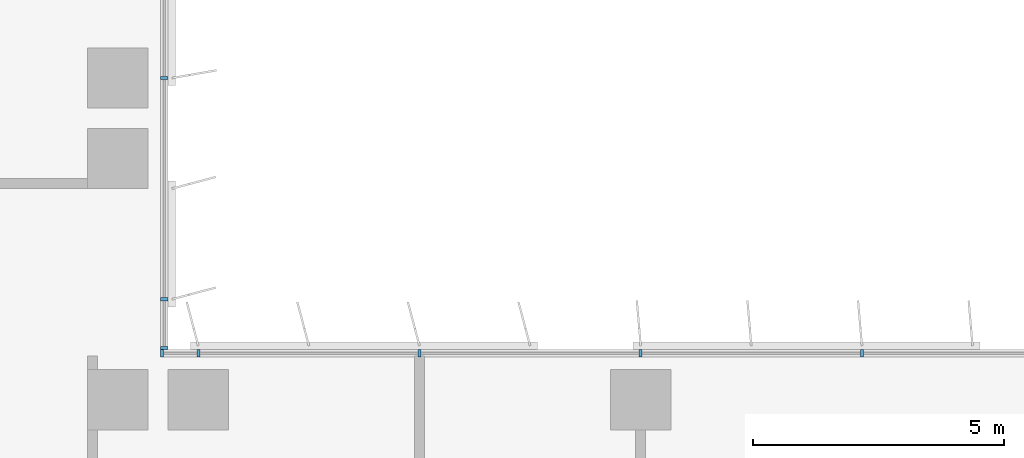
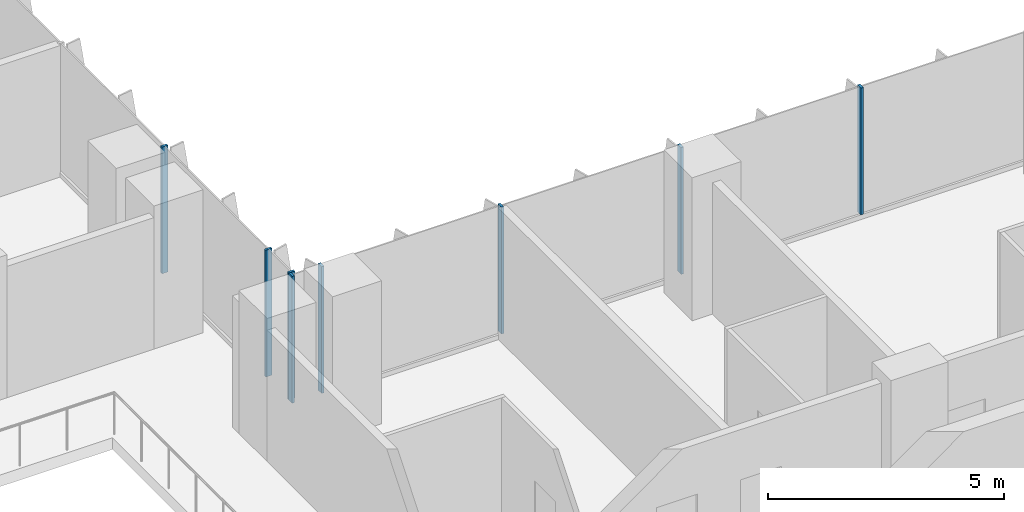
# One storey, part 2 of 22: 8 members, 2 elements without a shape of their own.
"""IFC4 building model written with IfcOpenShell, lengths in metres."""

from ifc_helpers import new_model, si_unit, direction, frame, origin, origin_2d, place, context, subcontext, project, spatial, rectangle, extrude, source, transform, mapped, material, material_profile, profile_set, type_object, element, aggregate, save


model = new_model("IFC4")

# Units and contexts
model_context = context("Model", 3, precision=1e-05, world=origin(), true_north=direction((0.0, 1.0)))
body_context = subcontext(model_context, "Body", "Model", "MODEL_VIEW")
ifc_project = project(units=[si_unit("LENGTHUNIT", "METRE"), si_unit("AREAUNIT", "SQUARE_METRE"), si_unit("VOLUMEUNIT", "CUBIC_METRE"), si_unit("PLANEANGLEUNIT", "RADIAN"), si_unit("MASSUNIT", "GRAM", prefix="KILO")], contexts=[model_context])

# Site, building, storey
site_placement = place(None, origin())
site = spatial("IfcSite", under=ifc_project, at=site_placement, CompositionType="ELEMENT")
building_placement = place(site_placement, origin())
building = spatial("IfcBuilding", under=site, at=building_placement, Name="Kemantara Hotel Tower", CompositionType="ELEMENT")
storey_placement = place(building_placement, frame((0.0, 0.0, 90.800048828125)))
storey = spatial("IfcBuildingStorey", under=building, at=storey_placement, Name="L21", CompositionType="ELEMENT", Elevation=90.800048828125)

# Curtain wall, members
ifc_material_1 = material(Name="Low-E tinted double insulated glass 36 mm", Category="glass")
curtain_wall_type = type_object("IfcCurtainWallType", Name="TOWER CURTAIN WALL, FRONT FACES", PredefinedType="USERDEFINED", material=ifc_material_1)
curtain_wall_1_placement = place(storey_placement, origin())
curtain_wall_1 = element("IfcCurtainWall", 1, at=curtain_wall_1_placement, inside=storey, type_object=curtain_wall_type, Name="CW4 L21 T2-R13-1", ObjectType="TOWER CURTAIN WALL, FRONT FACES", PredefinedType="USERDEFINED")
ifc_material_2 = material(Name="Aluminium 6063-T6 bronze anodised", Category="aluminium")
ifc_material_profile = material_profile(ifc_material_2, rectangle(XDim=0.14990234375, YDim=0.06005859375, at=origin_2d()), Name="TOWER CURTAIN WALL, FRONT FACES MULLION")
ifc_profile_set = profile_set([ifc_material_profile], Name="Aluminium 6063-T6 bronze anodised")
member_type = type_object("IfcMemberType", Name="TOWER CURTAIN WALL, FRONT FACES MULLION", PredefinedType="MULLION", material=ifc_profile_set)
shared_shape = source(origin(), body_context, "Body", "SweptSolid", [
    extrude(rectangle(XDim=0.14990234375, YDim=0.06005859375, at=origin_2d()), origin(), (0.0, 0.0, 1.0), 3.280029296875),
])
member_1_placement = place(storey_placement, frame((40.60009765625, 21.925048828125, 0.119873046875), z_axis=(0.0, 0.0, 1.0), x_axis=(0.0, -1.0, 0.0)))
member_1 = element("IfcMember", 2, at=member_1_placement, type_object=member_type, Name="CW4 mullion T2-R13-1.6", PredefinedType="MULLION", context=body_context, shape_type="MappedRepresentation", body=[
    mapped(shared_shape, transform((0.0, 0.0, 0.0))),
])
member_2_placement = place(storey_placement, frame((36.199951171875, 21.925048828125, 0.119873046875), z_axis=(0.0, 0.0, 1.0), x_axis=(0.0, -1.0, 0.0)))
member_2 = element("IfcMember", 3, at=member_2_placement, type_object=member_type, Name="CW4 mullion T2-R13-1.7", PredefinedType="MULLION", context=body_context, shape_type="MappedRepresentation", body=[
    mapped(shared_shape, transform((0.0, 0.0, 0.0))),
])
member_3_placement = place(storey_placement, frame((31.800048828125, 21.925048828125, 0.119873046875), z_axis=(0.0, 0.0, 1.0), x_axis=(0.0, -1.0, 0.0)))
member_3 = element("IfcMember", 4, at=member_3_placement, type_object=member_type, Name="CW4 mullion T2-R13-1.8", PredefinedType="MULLION", context=body_context, shape_type="MappedRepresentation", body=[
    mapped(shared_shape, transform((0.0, 0.0, 0.0))),
])
member_4_placement = place(storey_placement, frame((27.39990234375, 21.925048828125, 0.119873046875), z_axis=(0.0, 0.0, 1.0), x_axis=(0.0, -1.0, 0.0)))
member_4 = element("IfcMember", 5, at=member_4_placement, type_object=member_type, Name="CW4 mullion T2-R13-1.9", PredefinedType="MULLION", context=body_context, shape_type="MappedRepresentation", body=[
    mapped(shared_shape, transform((0.0, 0.0, 0.0))),
])
member_5_placement = place(storey_placement, frame((26.679931640625, 21.925048828125, 0.119873046875), z_axis=(0.0, 0.0, 1.0), x_axis=(0.0, -1.0, 0.0)))
member_5 = element("IfcMember", 6, at=member_5_placement, type_object=member_type, Name="CW4 mullion T2-R13-1.10", PredefinedType="MULLION", context=body_context, shape_type="MappedRepresentation", body=[
    mapped(shared_shape, transform((0.0, 0.0, 0.0))),
])
aggregate(curtain_wall_1, [member_1, member_2, member_3, member_4, member_5])

curtain_wall_2_placement = place(storey_placement, origin())
curtain_wall_2 = element("IfcCurtainWall", 7, at=curtain_wall_2_placement, inside=storey, type_object=curtain_wall_type, Name="CW4 L21 T2-R14-1", ObjectType="TOWER CURTAIN WALL, FRONT FACES", PredefinedType="USERDEFINED")
member_6_placement = place(storey_placement, frame((26.72509765625, 22.030029296875, 0.119873046875), z_axis=(0.0, 0.0, 1.0), x_axis=(-1.0, 0.0, 0.0)))
member_6 = element("IfcMember", 8, at=member_6_placement, type_object=member_type, Name="CW4 mullion T2-R14-1.1", PredefinedType="MULLION", context=body_context, shape_type="MappedRepresentation", body=[
    mapped(shared_shape, transform((0.0, 0.0, 0.0))),
])
member_7_placement = place(storey_placement, frame((26.72509765625, 23.0, 0.119873046875), z_axis=(0.0, 0.0, 1.0), x_axis=(-1.0, 0.0, 0.0)))
member_7 = element("IfcMember", 9, at=member_7_placement, type_object=member_type, Name="CW4 mullion T2-R14-1.2", PredefinedType="MULLION", context=body_context, shape_type="MappedRepresentation", body=[
    mapped(shared_shape, transform((0.0, 0.0, 0.0))),
])
member_8_placement = place(storey_placement, frame((26.72509765625, 27.39990234375, 0.119873046875), z_axis=(0.0, 0.0, 1.0), x_axis=(-1.0, 0.0, 0.0)))
member_8 = element("IfcMember", 10, at=member_8_placement, type_object=member_type, Name="CW4 mullion T2-R14-1.3", PredefinedType="MULLION", context=body_context, shape_type="MappedRepresentation", body=[
    mapped(shared_shape, transform((0.0, 0.0, 0.0))),
])
aggregate(curtain_wall_2, [member_6, member_7, member_8])

save(model, "model.ifc")
